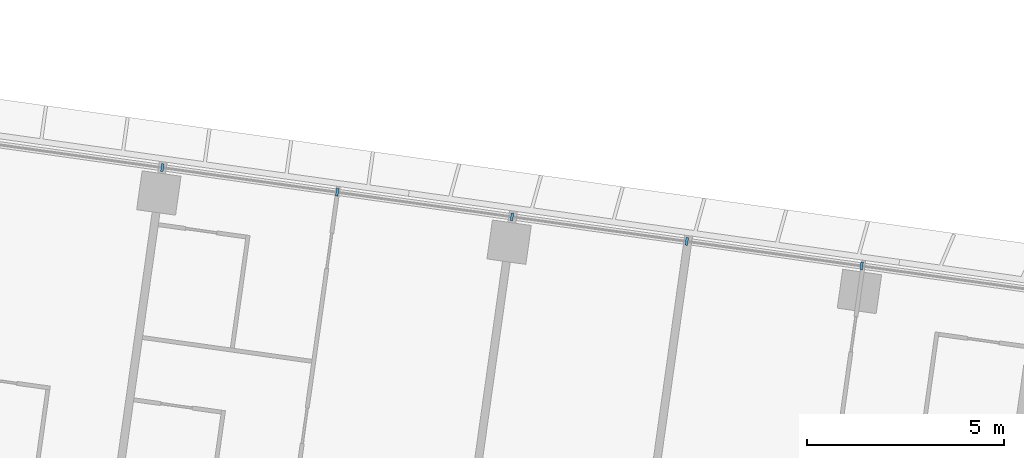
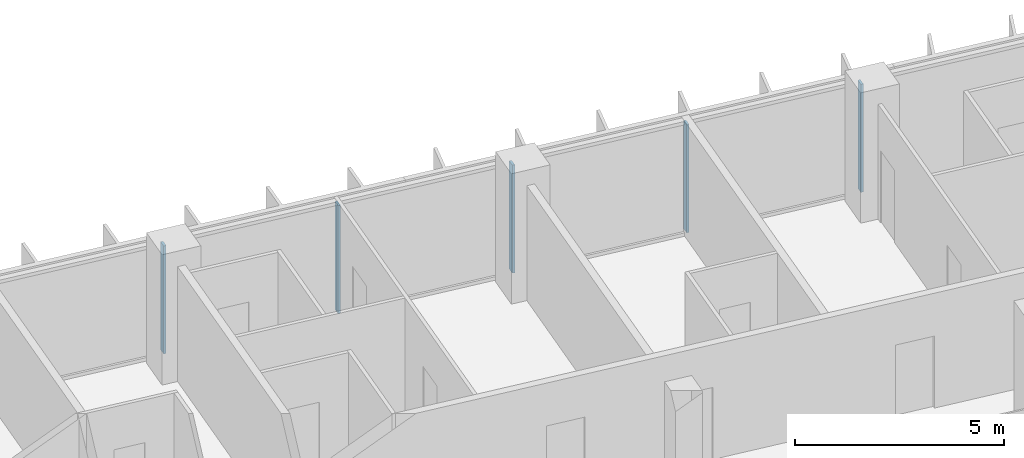
# One storey, part 5 of 25: 5 members, 1 element without a shape of its own.
"""IFC4 building model written with IfcOpenShell, lengths in metres."""

from ifc_helpers import new_model, si_unit, direction, frame, origin, origin_2d, place, context, subcontext, project, spatial, rectangle, extrude, material, material_profile, profile_set, type_object, element, aggregate, save


model = new_model("IFC4")

# Units and contexts
model_context = context("Model", 3, precision=1e-05, world=origin(), true_north=direction((0.0, 1.0)))
body_context = subcontext(model_context, "Body", "Model", "MODEL_VIEW")
ifc_project = project(units=[si_unit("LENGTHUNIT", "METRE"), si_unit("AREAUNIT", "SQUARE_METRE"), si_unit("VOLUMEUNIT", "CUBIC_METRE"), si_unit("PLANEANGLEUNIT", "RADIAN"), si_unit("MASSUNIT", "GRAM", prefix="KILO")], contexts=[model_context])

# Site, building, storey
site_placement = place(None, origin())
site = spatial("IfcSite", under=ifc_project, at=site_placement, CompositionType="ELEMENT")
building_placement = place(site_placement, origin())
building = spatial("IfcBuilding", under=site, at=building_placement, Name="Mirante Cascada Hotel Towers", CompositionType="ELEMENT")
storey_placement = place(building_placement, frame((0.0, 0.0, 58.5)))
storey = spatial("IfcBuildingStorey", under=building, at=storey_placement, Name="L11", CompositionType="ELEMENT", Elevation=58.5)

# Curtain wall, members
ifc_material_1 = material(Name="Aluminium mullion and transom frame with clear laminated glass", Category="aluminium")
curtain_wall_type = type_object("IfcCurtainWallType", Name="Ribbon curtain wall ECW1", PredefinedType="NOTDEFINED", material=ifc_material_1)
curtain_wall_placement = place(storey_placement, origin())
curtain_wall = element("IfcCurtainWall", 1, at=curtain_wall_placement, inside=storey, type_object=curtain_wall_type, Name="Front ribbon wall T1 L11", PredefinedType="NOTDEFINED")
ifc_material_2 = material(Name="Anodised aluminium extrusion", Category="aluminium")
ifc_material_profile = material_profile(ifc_material_2, rectangle(XDim=0.2, YDim=0.065, at=origin_2d()), Name="ECW1 MULLION 65x200")
ifc_profile_set = profile_set([ifc_material_profile], Name="Anodised aluminium extrusion")
member_type = type_object("IfcMemberType", Name="ECW1 mullion 65x200", PredefinedType="MULLION", material=ifc_profile_set)
member_1_placement = place(storey_placement, frame((-63.0262, 21.6768, 0.1), z_axis=(0.0, 0.0, 1.0), x_axis=(0.1391731, 0.9902681, 0.0)))
member_1 = element("IfcMember", 2, at=member_1_placement, type_object=member_type, Name="ECW1 mullion 8", PredefinedType="MULLION", context=body_context, shape_type="SweptSolid", body=[
    extrude(rectangle(XDim=0.2, YDim=0.065, at=origin_2d()), origin(), (0.0, 0.0, 1.0), 3.15),
])
member_2_placement = place(storey_placement, frame((-58.5788, 21.0517, 0.1), z_axis=(0.0, 0.0, 1.0), x_axis=(0.1391731, 0.9902681, 0.0)))
member_2 = element("IfcMember", 3, at=member_2_placement, type_object=member_type, Name="ECW1 mullion 9", PredefinedType="MULLION", context=body_context, shape_type="SweptSolid", body=[
    extrude(rectangle(XDim=0.2, YDim=0.065, at=origin_2d()), origin(), (0.0, 0.0, 1.0), 3.15),
])
member_3_placement = place(storey_placement, frame((-54.1314, 20.4267, 0.1), z_axis=(0.0, 0.0, 1.0), x_axis=(0.1391731, 0.9902681, 0.0)))
member_3 = element("IfcMember", 4, at=member_3_placement, type_object=member_type, Name="ECW1 mullion 10", PredefinedType="MULLION", context=body_context, shape_type="SweptSolid", body=[
    extrude(rectangle(XDim=0.2, YDim=0.065, at=origin_2d()), origin(), (0.0, 0.0, 1.0), 3.15),
])
member_4_placement = place(storey_placement, frame((-49.684, 19.8017, 0.1), z_axis=(0.0, 0.0, 1.0), x_axis=(0.1391731, 0.9902681, 0.0)))
member_4 = element("IfcMember", 5, at=member_4_placement, type_object=member_type, Name="ECW1 mullion 11", PredefinedType="MULLION", context=body_context, shape_type="SweptSolid", body=[
    extrude(rectangle(XDim=0.2, YDim=0.065, at=origin_2d()), origin(), (0.0, 0.0, 1.0), 3.15),
])
member_5_placement = place(storey_placement, frame((-45.2366, 19.1766, 0.1), z_axis=(0.0, 0.0, 1.0), x_axis=(0.1391731, 0.9902681, 0.0)))
member_5 = element("IfcMember", 6, at=member_5_placement, type_object=member_type, Name="ECW1 mullion 12", PredefinedType="MULLION", context=body_context, shape_type="SweptSolid", body=[
    extrude(rectangle(XDim=0.2, YDim=0.065, at=origin_2d()), origin(), (0.0, 0.0, 1.0), 3.15),
])
aggregate(curtain_wall, [member_1, member_2, member_3, member_4, member_5])

save(model, "model.ifc")
